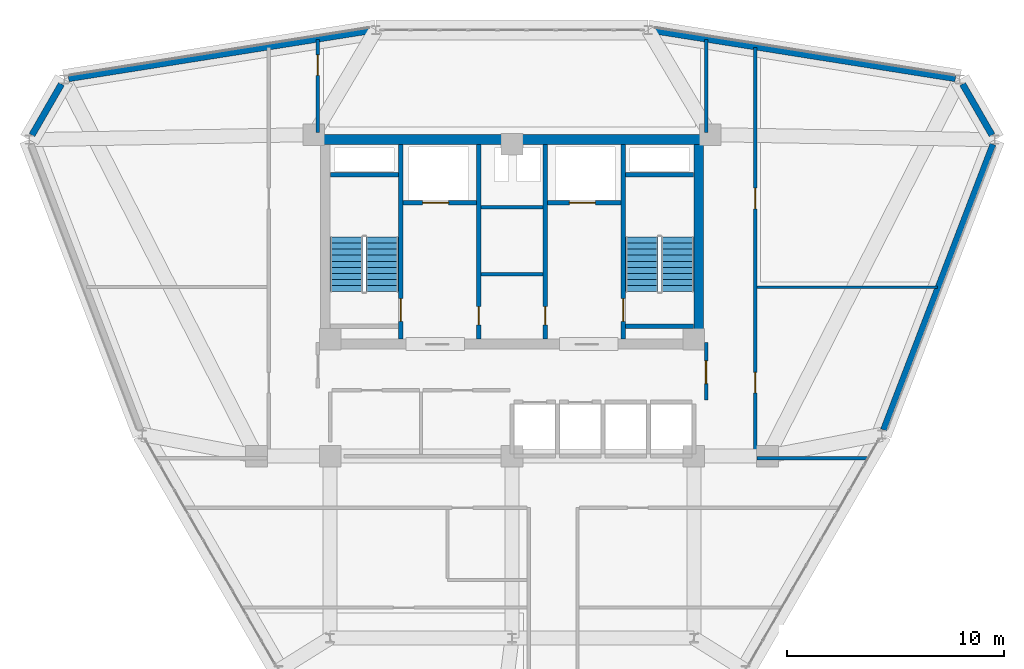
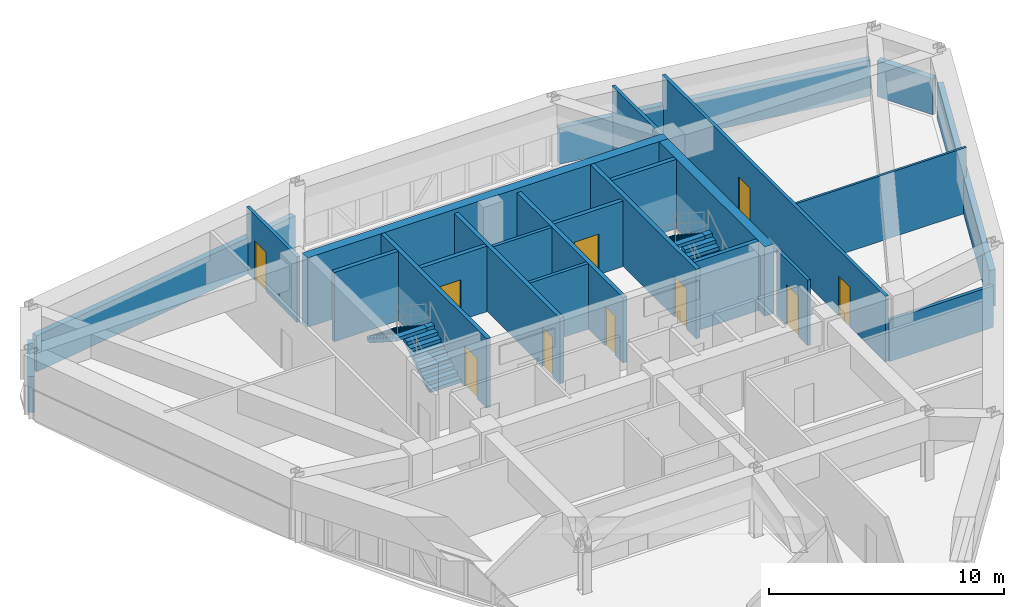
# One storey, part 11 of 13: 24 walls, 10 doors, 4 stair flights, 10 openings, 2 elements without a shape of their own.
"""IFC4 building model written with IfcOpenShell, lengths in metres."""

import ifcopenshell
import ifcopenshell.guid

model = None  # the IFC model being written
_history = None  # IfcOwnerHistory: only IFC2X3 demands one
_inside = {}  # id of a spatial element -> (the spatial element, [elements in it])
_under = {}  # id of a project, library or spatial element -> (it, [spatial elements below it])
_declared = {}  # id of a project -> (the project, [libraries it declares])
_typed = {}  # id of a type object -> (the type object, [elements of that type])
_made_of = {}  # id of a material, layer set ... -> (it, [elements and type objects made of it])


def new_model(schema):
    """Start an empty IFC model of exactly this schema.

    Asked for "IFC4X3", IfcOpenShell would pick the latest addendum, in which some entities
    have other attributes; the version numbers below select the first issue.
    IFC2X3 requires an IfcOwnerHistory on every rooted entity: one is made here for all.
    """
    global model, _history
    if schema == "IFC4X3":
        model = ifcopenshell.file(schema_version=(4, 3, 0, 0))
    else:
        model = ifcopenshell.file(schema=schema)
    _inside.clear()
    _under.clear()
    _declared.clear()
    _typed.clear()
    _made_of.clear()
    _history = None
    if model.schema == "IFC2X3":
        org = make("IfcOrganization", Name="unknown")
        user = make(
            "IfcPersonAndOrganization",
            ThePerson=make("IfcPerson", FamilyName="unknown"),
            TheOrganization=org,
        )
        app = make(
            "IfcApplication",
            ApplicationDeveloper=org,
            Version="unknown",
            ApplicationFullName="unknown",
            ApplicationIdentifier="unknown",
        )
        _history = make(
            "IfcOwnerHistory",
            OwningUser=user,
            OwningApplication=app,
            ChangeAction="ADDED",
            CreationDate=0,
        )
    return model


def make(cls, **values):
    """One entity of the class cls with the attributes given. An attribute that is None is left unset."""
    return model.create_entity(
        cls, **{name: value for name, value in values.items() if value is not None}
    )


def rooted(cls, **values):
    """An entity with a GlobalId (a new one), such as an element, a storey or a relation."""
    return make(cls, GlobalId=ifcopenshell.guid.new(), OwnerHistory=_history, **values)


def si_unit(unit_type, name, prefix=None):
    """IfcSIUnit, for example si_unit("LENGTHUNIT", "METRE", prefix="MILLI")."""
    return make("IfcSIUnit", UnitType=unit_type, Prefix=prefix, Name=name)


def derived_unit(unit_type, elements):
    """IfcDerivedUnit: a product of units, each with its exponent."""
    return make(
        "IfcDerivedUnit",
        Elements=[
            make("IfcDerivedUnitElement", Unit=unit, Exponent=power)
            for unit, power in elements
        ],
        UnitType=unit_type,
    )


def assignment(units):
    """IfcUnitAssignment: the units of a project."""
    return None if units is None else make("IfcUnitAssignment", Units=units)


def point(xyz):
    """IfcCartesianPoint."""
    return None if xyz is None else make("IfcCartesianPoint", Coordinates=xyz)


def direction(xyz):
    """IfcDirection."""
    return None if xyz is None else make("IfcDirection", DirectionRatios=xyz)


def frame(location, z_axis=None, x_axis=None):
    """IfcAxis2Placement3D, a coordinate frame: its origin and axes. An axis left out is left unset."""
    return make(
        "IfcAxis2Placement3D",
        Location=point(location),
        Axis=direction(z_axis),
        RefDirection=direction(x_axis),
    )


def frame_2d(location, x_axis=None):
    """IfcAxis2Placement2D, a coordinate frame in the plane: its origin and x axis."""
    return make(
        "IfcAxis2Placement2D", Location=point(location), RefDirection=direction(x_axis)
    )


def origin():
    """The frame at (0, 0, 0) with its axes left unset."""
    return frame((0.0, 0.0, 0.0))


def place(relative_to, where):
    """IfcLocalPlacement: puts the frame where relative to a parent placement (None: the world)."""
    return make(
        "IfcLocalPlacement", PlacementRelTo=relative_to, RelativePlacement=where
    )


def context(
    kind, dimensions, precision=None, world=None, true_north=None, identifier=None
):
    """IfcGeometricRepresentationContext, for example the 3D "Model" context."""
    return make(
        "IfcGeometricRepresentationContext",
        ContextIdentifier=identifier,
        ContextType=kind,
        CoordinateSpaceDimension=dimensions,
        Precision=precision,
        WorldCoordinateSystem=world,
        TrueNorth=true_north,
    )


def subcontext(parent, identifier, kind, view, scale=None):
    """IfcGeometricRepresentationSubContext, for example "Body" below "Model"."""
    return make(
        "IfcGeometricRepresentationSubContext",
        ContextIdentifier=identifier,
        ContextType=kind,
        ParentContext=parent,
        TargetScale=scale,
        TargetView=view,
    )


def project(units=None, contexts=None):
    """IfcProject with its units and contexts."""
    return rooted(
        "IfcProject",
        Name="project",
        RepresentationContexts=contexts,
        UnitsInContext=assignment(units),
    )


def spatial(cls, under=None, at=None, **own):
    """A site, building, storey or space (cls), placed at a placement, below another one or the project."""
    s = rooted(cls, ObjectPlacement=at, **own)
    if under is not None:
        _under.setdefault(under.id(), (under, []))[1].append(s)
    return s


def polyline(points):
    """IfcPolyline through the points."""
    return make("IfcPolyline", Points=[point(p) for p in points])


def profile(cls, at=None, kind="AREA", **sizes):
    """A parametric profile (cls). Its sizes go by their IFC names, for example OverallWidth=200.0."""
    return make(cls, ProfileType=kind, Position=at, **sizes)


def rectangle(**sizes):
    """IfcRectangleProfileDef."""
    return profile("IfcRectangleProfileDef", **sizes)


def outline(outer, holes=None, kind="AREA"):
    """IfcArbitraryClosedProfileDef: a profile drawn as a closed curve; with holes, ...WithVoids."""
    if holes is None:
        return make("IfcArbitraryClosedProfileDef", ProfileType=kind, OuterCurve=outer)
    return make(
        "IfcArbitraryProfileDefWithVoids",
        ProfileType=kind,
        OuterCurve=outer,
        InnerCurves=holes,
    )


def extrude(swept, where, along, depth):
    """IfcExtrudedAreaSolid: the profile swept, set in the frame where, extruded along a direction by depth."""
    return make(
        "IfcExtrudedAreaSolid",
        SweptArea=swept,
        Position=where,
        ExtrudedDirection=direction(along),
        Depth=depth,
    )


def shape(context_of_items, identifier, shape_type, items):
    """IfcShapeRepresentation: the items that make up one representation, for example the "Body"."""
    return make(
        "IfcShapeRepresentation",
        ContextOfItems=context_of_items,
        RepresentationIdentifier=identifier,
        RepresentationType=shape_type,
        Items=items,
    )


def material(Name=None, Category=None):
    """IfcMaterial."""
    return make("IfcMaterial", Name=Name, Category=Category)


def layer(
    of_material, thickness, ventilated=None, Name=None, Category=None, Priority=None
):
    """IfcMaterialLayer: one layer of a wall or slab, of a material (None: an air gap)."""
    return make(
        "IfcMaterialLayer",
        Material=of_material,
        LayerThickness=thickness,
        IsVentilated=ventilated,
        Name=Name,
        Category=Category,
        Priority=Priority,
    )


def layer_set(layers, Name=None):
    """IfcMaterialLayerSet."""
    return make("IfcMaterialLayerSet", MaterialLayers=layers, LayerSetName=Name)


def made_of(thing, what):
    """Note that an element or type object is made of a material, layer set ...; save() writes the relation."""
    if what is not None:
        _made_of.setdefault(what.id(), (what, []))[1].append(thing)
    return thing


def type_object(cls, material=None, **own):
    """A type object (cls), such as IfcWallType, which elements share."""
    return made_of(rooted(cls, **own), material)


def element(
    cls,
    number,
    at=None,
    inside=None,
    cuts=None,
    type_object=None,
    material=None,
    context=None,
    identifier="Body",
    shape_type=None,
    held_by="IfcProductDefinitionShape",
    body=None,
    shapes=None,
    **own,
):
    """One element of the class cls, such as IfcWall. Its Tag is "e" and its number.

    at: its placement. inside: the storey or other place that contains it. cuts: it is an
    opening in that element (IfcRelVoidsElement). A single representation is given by context,
    identifier, shape_type and body (its items); several are given by shapes. held_by: the class
    of the entity that holds the representations. save() writes the other relations.
    """
    e = rooted(cls, Tag="e%d" % number, ObjectPlacement=at, **own)
    if body is not None:
        shapes = [shape(context, identifier, shape_type, body)]
    if shapes is not None:
        e.Representation = make(held_by, Representations=shapes)
    if inside is not None:
        _inside.setdefault(inside.id(), (inside, []))[1].append(e)
    if cuts is not None:
        rooted(
            "IfcRelVoidsElement", RelatingBuildingElement=cuts, RelatedOpeningElement=e
        )
    if type_object is not None:
        _typed.setdefault(type_object.id(), (type_object, []))[1].append(e)
    return made_of(e, material)


def fill(opening, filler):
    """IfcRelFillsElement: the door or window that sits in an opening."""
    return rooted(
        "IfcRelFillsElement",
        RelatingOpeningElement=opening,
        RelatedBuildingElement=filler,
    )


def aggregate(whole, parts):
    """IfcRelAggregates: a whole, such as a stair, and the parts it consists of."""
    return rooted("IfcRelAggregates", RelatingObject=whole, RelatedObjects=parts)


def save(model, path):
    """Write the relations noted so far, then the file.

    IfcRelAggregates (storeys below a building ...), IfcRelContainedInSpatialStructure (elements
    in a storey), IfcRelDefinesByType, IfcRelAssociatesMaterial and IfcRelDeclares: one each for
    every whole, place, type object, material and project.
    """
    for whole, parts in _under.values():
        aggregate(whole, parts)
    for where, things in _inside.values():
        rooted(
            "IfcRelContainedInSpatialStructure",
            RelatedElements=things,
            RelatingStructure=where,
        )
    for kind, things in _typed.values():
        rooted("IfcRelDefinesByType", RelatedObjects=things, RelatingType=kind)
    for what, things in _made_of.values():
        rooted("IfcRelAssociatesMaterial", RelatedObjects=things, RelatingMaterial=what)
    for by, libraries in _declared.values():
        rooted("IfcRelDeclares", RelatingContext=by, RelatedDefinitions=libraries)
    model.write(path)


model = new_model("IFC4")

# Units and contexts
model_context = context("Model", 3, precision=1e-05, world=origin(), true_north=direction((0.0, 1.0)))
body_context = subcontext(model_context, "Body", "Model", "MODEL_VIEW")
ifc_project = project(units=[si_unit("LENGTHUNIT", "METRE"), si_unit("AREAUNIT", "SQUARE_METRE"), si_unit("VOLUMEUNIT", "CUBIC_METRE"), si_unit("PLANEANGLEUNIT", "RADIAN"), si_unit("MASSUNIT", "GRAM", prefix="KILO"), derived_unit("THERMALTRANSMITTANCEUNIT", [(si_unit("POWERUNIT", "WATT"), 1), (si_unit("LENGTHUNIT", "METRE"), -2), (si_unit("THERMODYNAMICTEMPERATUREUNIT", "KELVIN"), -1)])], contexts=[model_context])

# Site, building, storey
site_placement = place(None, origin())
site = spatial("IfcSite", under=ifc_project, at=site_placement, CompositionType="ELEMENT")
building_placement = place(site_placement, origin())
building = spatial("IfcBuilding", under=site, at=building_placement, Name="Korsvarv Bourse and Concert Hall", CompositionType="ELEMENT")
storey_placement = place(building_placement, frame((0.0, 0.0, 183.0)))
storey = spatial("IfcBuildingStorey", under=building, at=storey_placement, Name="L47", CompositionType="ELEMENT", Elevation=183.0)

# Wall, opening, door
ifc_material_1 = material(Name="Concrete C50/60", Category="concrete")
ifc_layer_1 = layer(ifc_material_1, 0.3798828125)
ifc_layer_set_1 = layer_set([ifc_layer_1], Name="Concrete C50/60")
wall_type_1 = type_object("IfcWallType", Name="WL-CORE-380", PredefinedType="SHEAR", material=ifc_layer_set_1)
wall_1_placement = place(storey_placement, frame((30.860107421875, 37.81005859375, 0.0), z_axis=(0.0, 0.0, 1.0), x_axis=(0.0, 1.0, 0.0)))
wall_1 = element("IfcWall", 1, at=wall_1_placement, inside=storey, type_object=wall_type_1, Name="L47 stair shaft structural wall W-L47-ST1-E", PredefinedType="SHEAR", context=body_context, shape_type="SweptSolid", body=[
    extrude(rectangle(XDim=8.97998046875, YDim=0.199951171875, at=frame_2d((4.489990234375, 0.0))), origin(), (0.0, 0.0, 1.0), 3.60009765625),
])
opening_1_placement = place(wall_1_placement, frame((0.820068359375, 0.0, 0.0)))
opening_1 = element("IfcOpeningElement", 2, at=opening_1_placement, cuts=wall_1, Name="Opening D-01", PredefinedType="OPENING", context=body_context, shape_type="SweptSolid", body=[
    extrude(rectangle(XDim=1.050048828125, YDim=2.10009765625, at=frame_2d((0.52490234375, 1.050048828125))), frame((0.0, 0.10986328125, 0.0), z_axis=(0.0, -1.0, 0.0), x_axis=(1.0, 0.0, 0.0)), (0.0, 0.0, 1.0), 0.219970703125),
])
ifc_material_2 = material(Name="Steel S355 fire door", Category="steel")
door_type_1 = type_object("IfcDoorType", Name="DR-FD60", OperationType="NOTDEFINED", PredefinedType="DOOR", material=ifc_material_2)
door_1_placement = place(opening_1_placement, origin())
door_1 = element("IfcDoor", 3, at=door_1_placement, inside=storey, type_object=door_type_1, Name="L47 interior door DR-L47-ST1", OperationType="SINGLE_SWING_LEFT", OverallHeight=2.10009765625, OverallWidth=1.050048828125, PredefinedType="DOOR", context=body_context, shape_type="SweptSolid", body=[
    extrude(rectangle(XDim=1.050048828125, YDim=2.10009765625, at=frame_2d((0.52490234375, 1.050048828125))), frame((0.0, 0.02490234375, 0.0), z_axis=(0.0, -1.0, 0.0), x_axis=(1.0, 0.0, 0.0)), (0.0, 0.0, 1.0), 0.050048828125),
])
fill(opening_1, door_1)

# Wall
wall_2_placement = place(storey_placement, frame((27.610107421875, 45.39990234375, 0.0), z_axis=(0.0, 0.0, 1.0), x_axis=(1.0, 0.0, 0.0)))
element("IfcWall", 4, at=wall_2_placement, inside=storey, type_object=wall_type_1, Name="L47 stair shaft structural wall W-L47-ST1-N", PredefinedType="SHEAR", context=body_context, shape_type="SweptSolid", body=[
    extrude(rectangle(XDim=3.139892578125, YDim=0.199951171875, at=frame_2d((1.56982421875, 0.0))), origin(), (0.0, 0.0, 1.0), 3.60009765625),
])

# Wall, opening, door
wall_3_placement = place(storey_placement, frame((41.139892578125, 37.81005859375, 0.0), z_axis=(0.0, 0.0, 1.0), x_axis=(0.0, 1.0, 0.0)))
wall_3 = element("IfcWall", 5, at=wall_3_placement, inside=storey, type_object=wall_type_1, Name="L47 stair shaft structural wall W-L47-ST2-W", PredefinedType="SHEAR", context=body_context, shape_type="SweptSolid", body=[
    extrude(rectangle(XDim=8.97998046875, YDim=0.199951171875, at=frame_2d((4.489990234375, 0.0))), origin(), (0.0, 0.0, 1.0), 3.60009765625),
])
opening_2_placement = place(wall_3_placement, frame((0.820068359375, 0.0, 0.0)))
opening_2 = element("IfcOpeningElement", 6, at=opening_2_placement, cuts=wall_3, Name="Opening D-01", PredefinedType="OPENING", context=body_context, shape_type="SweptSolid", body=[
    extrude(rectangle(XDim=1.050048828125, YDim=2.10009765625, at=frame_2d((0.52490234375, 1.050048828125))), frame((0.0, 0.10986328125, 0.0), z_axis=(0.0, -1.0, 0.0), x_axis=(1.0, 0.0, 0.0)), (0.0, 0.0, 1.0), 0.219970703125),
])
door_2_placement = place(opening_2_placement, frame((1.050048828125, 0.0, 0.0), z_axis=(0.0, 0.0, 1.0), x_axis=(-1.0, 0.0, 0.0)))
door_2 = element("IfcDoor", 7, at=door_2_placement, inside=storey, type_object=door_type_1, Name="L47 interior door DR-L47-ST2", OperationType="SINGLE_SWING_RIGHT", OverallHeight=2.10009765625, OverallWidth=1.050048828125, PredefinedType="DOOR", context=body_context, shape_type="SweptSolid", body=[
    extrude(rectangle(XDim=1.050048828125, YDim=2.10009765625, at=frame_2d((0.52490234375, 1.050048828125))), frame((0.0, 0.02490234375, 0.0), z_axis=(0.0, -1.0, 0.0), x_axis=(1.0, 0.0, 0.0)), (0.0, 0.0, 1.0), 0.050048828125),
])
fill(opening_2, door_2)

# Walls
for number, where, z_axis, x_axis, name in (
    (8, (41.25, 45.39990234375, 0.0), (0.0, 0.0, 1.0), (1.0, 0.0, 0.0), "L47 stair shaft structural wall W-L47-ST2-N"),
    (9, (41.25, 38.39990234375, 0.0), (0.0, 0.0, 1.0), (1.0, 0.0, 0.0), "L47 stair shaft structural wall W-L47-ST2-S"),
):
    element("IfcWall", number, at=place(storey_placement, frame(where, z_axis=z_axis, x_axis=x_axis)), inside=storey, type_object=wall_type_1, Name=name, PredefinedType="SHEAR", context=body_context, shape_type="SweptSolid", body=[
        extrude(rectangle(XDim=3.139892578125, YDim=0.199951171875, at=frame_2d((1.56982421875, 0.0))), origin(), (0.0, 0.0, 1.0), 3.60009765625),
    ])
ifc_material_3 = material(Name="Concrete C55/67", Category="concrete")
ifc_layer_2 = layer(ifc_material_3, 0.449951171875)
ifc_layer_set_2 = layer_set([ifc_layer_2], Name="Concrete C55/67")
wall_type_2 = type_object("IfcWallType", Name="WL-CORE-450", PredefinedType="SHEAR", material=ifc_layer_set_2)
wall_4_placement = place(storey_placement, frame((27.14990234375, 47.02490234375, 0.0), z_axis=(0.0, 0.0, 1.0), x_axis=(1.0, 0.0, 0.0)))
element("IfcWall", 10, at=wall_4_placement, inside=storey, type_object=wall_type_2, Name="L47 North Core Shear Wall", PredefinedType="SHEAR", context=body_context, shape_type="SweptSolid", body=[
    extrude(rectangle(XDim=17.7001953125, YDim=0.449951171875, at=frame_2d((8.85009765625, 0.0))), origin(), (0.0, 0.0, 1.0), 3.60009765625),
])
wall_5_placement = place(storey_placement, frame((44.625, 37.800048828125, 0.0), z_axis=(0.0, 0.0, 1.0), x_axis=(0.0, 1.0, 0.0)))
element("IfcWall", 11, at=wall_5_placement, inside=storey, type_object=wall_type_2, Name="L47 East Core Shear Wall", PredefinedType="SHEAR", context=body_context, shape_type="SweptSolid", body=[
    extrude(rectangle(XDim=9.0, YDim=0.449951171875, at=frame_2d((4.5, 0.0))), origin(), (0.0, 0.0, 1.0), 3.60009765625),
])
ifc_material_4 = material(Name="Precast concrete C45/55 with terracotta rainscreen", Category="concrete")
ifc_layer_3 = layer(ifc_material_4, 0.300048828125)
ifc_layer_set_3 = layer_set([ifc_layer_3], Name="Precast concrete C45/55 with terracotta rainscreen")
wall_type_3 = type_object("IfcWallType", Name="WL-EXT-TC1", PredefinedType="SOLIDWALL", material=ifc_layer_set_3)
for number, where, z_axis, x_axis, name in (
    (12, (58.167236328125, 47.225830078125, 0.0), (0.0, 0.0, 1.0), (-0.499947493121, 0.866055716523, 0.0), "L47 terracotta exterior wall EW-L47-B01"),
    (13, (15.1943359375, 49.58447265625, 0.0), (0.0, 0.0, 1.0), (-0.499947493121, -0.866055716523, 0.0), "L47 terracotta exterior wall EW-L47-B05"),
):
    element("IfcWall", number, at=place(storey_placement, frame(where, z_axis=z_axis, x_axis=x_axis)), inside=storey, type_object=wall_type_3, Name=name, PredefinedType="SOLIDWALL", context=body_context, shape_type="SweptSolid", body=[
        extrude(rectangle(XDim=2.723388671875, YDim=0.300048828125, at=frame_2d((1.36181640625, 0.0))), origin(), (0.0, 0.0, 1.0), 1.8701171875),
    ])
ifc_material_5 = material(Name="Precast concrete C45/55 with fluted terracotta pier", Category="concrete")
ifc_layer_4 = layer(ifc_material_5, 0.280029296875)
ifc_layer_set_4 = layer_set([ifc_layer_4], Name="Precast concrete C45/55 with fluted terracotta pier")
wall_type_4 = type_object("IfcWallType", Name="WL-EXT-TC2", PredefinedType="SOLIDWALL", material=ifc_layer_set_4)
for number, where, z_axis, x_axis, name in (
    (14, (56.474609375, 49.83056640625, 0.0), (0.0, 0.0, 1.0), (-0.987634086957, 0.156776625426, 0.0), "L47 terracotta exterior wall EW-L47-B02"),
    (15, (29.502685546875, 52.04931640625, 0.0), (0.0, 0.0, 1.0), (-0.987634086957, -0.156776625426, 0.0), "L47 terracotta exterior wall EW-L47-B04"),
):
    element("IfcWall", number, at=place(storey_placement, frame(where, z_axis=z_axis, x_axis=x_axis)), inside=storey, type_object=wall_type_4, Name=name, PredefinedType="SOLIDWALL", context=body_context, shape_type="SweptSolid", body=[
        extrude(rectangle(XDim=14.15234375, YDim=0.280029296875, at=frame_2d((7.076171875, 0.0))), origin(), (0.0, 0.0, 1.0), 1.8701171875),
    ])
wall_6_placement = place(storey_placement, frame((53.154052734375, 33.618408203125, 0.0), z_axis=(0.0, 0.0, 1.0), x_axis=(0.358033263681, 0.933708831541, 0.0)))
element("IfcWall", 16, at=wall_6_placement, inside=storey, type_object=wall_type_4, Name="L47 terracotta exterior wall EW-L47-B12", PredefinedType="SOLIDWALL", context=body_context, shape_type="SweptSolid", body=[
    extrude(rectangle(XDim=14.1171875, YDim=0.280029296875, at=frame_2d((7.05859375, 0.0))), origin(), (0.0, 0.0, 1.0), 1.8701171875),
])

# Wall, opening, door
ifc_material_6 = material(Name="Reinforced concrete blockwork C35/45 fire wall", Category="concrete")
ifc_layer_5 = layer(ifc_material_6, 0.199951171875)
ifc_layer_set_5 = layer_set([ifc_layer_5], Name="Reinforced concrete blockwork C35/45 fire wall")
wall_type_5 = type_object("IfcWallType", Name="WL-INT-EI120", PredefinedType="PARTITIONING", material=ifc_layer_set_5)
wall_7_placement = place(storey_placement, frame((30.969970703125, 44.10009765625, 0.0), z_axis=(0.0, 0.0, 1.0), x_axis=(1.0, 0.0, 0.0)))
wall_7 = element("IfcWall", 17, at=wall_7_placement, inside=storey, type_object=wall_type_5, Name="L47 interior partition wall W-L47-FF1-S", PredefinedType="PARTITIONING", context=body_context, shape_type="SweptSolid", body=[
    extrude(rectangle(XDim=3.380126953125, YDim=0.199951171875, at=frame_2d((1.68994140625, 0.0))), origin(), (0.0, 0.0, 1.0), 3.39990234375),
])
opening_3_placement = place(wall_7_placement, frame((0.89990234375, 0.0, 0.0)))
opening_3 = element("IfcOpeningElement", 18, at=opening_3_placement, cuts=wall_7, Name="Opening LD-1", PredefinedType="OPENING", context=body_context, shape_type="SweptSolid", body=[
    extrude(rectangle(XDim=1.199951171875, YDim=2.10009765625, at=frame_2d((0.60009765625, 1.050048828125))), frame((0.0, 0.10986328125, 0.0), z_axis=(0.0, -1.0, 0.0), x_axis=(1.0, 0.0, 0.0)), (0.0, 0.0, 1.0), 0.219970703125),
])
ifc_material_7 = material(Name="Stainless Steel S355 firefighting lift landing door", Category="steel")
door_type_2 = type_object("IfcDoorType", Name="DR-LIFT-FF", OperationType="DOUBLE_DOOR_SLIDING", PredefinedType="DOOR", material=ifc_material_7)
door_3_placement = place(opening_3_placement, origin())
door_3 = element("IfcDoor", 19, at=door_3_placement, inside=storey, type_object=door_type_2, Name="L47 lift sliding landing door LD-L47-FF1", OperationType="DOUBLE_DOOR_SLIDING", OverallHeight=2.10009765625, OverallWidth=1.199951171875, PredefinedType="DOOR", context=body_context, shape_type="SweptSolid", body=[
    extrude(rectangle(XDim=1.199951171875, YDim=2.10009765625, at=frame_2d((0.60009765625, 1.050048828125))), frame((0.0, 0.02490234375, 0.0), z_axis=(0.0, -1.0, 0.0), x_axis=(1.0, 0.0, 0.0)), (0.0, 0.0, 1.0), 0.050048828125),
])
fill(opening_3, door_3)

wall_8_placement = place(storey_placement, frame((37.64990234375, 44.10009765625, 0.0), z_axis=(0.0, 0.0, 1.0), x_axis=(1.0, 0.0, 0.0)))
wall_8 = element("IfcWall", 20, at=wall_8_placement, inside=storey, type_object=wall_type_5, Name="L47 interior partition wall W-L47-FF2-S", PredefinedType="PARTITIONING", context=body_context, shape_type="SweptSolid", body=[
    extrude(rectangle(XDim=3.380126953125, YDim=0.199951171875, at=frame_2d((1.68994140625, 0.0))), origin(), (0.0, 0.0, 1.0), 3.39990234375),
])
opening_4_placement = place(wall_8_placement, frame((1.0, 0.0, 0.0)))
opening_4 = element("IfcOpeningElement", 21, at=opening_4_placement, cuts=wall_8, Name="Opening LD-1", PredefinedType="OPENING", context=body_context, shape_type="SweptSolid", body=[
    extrude(rectangle(XDim=1.199951171875, YDim=2.10009765625, at=frame_2d((0.60009765625, 1.050048828125))), frame((0.0, 0.10986328125, 0.0), z_axis=(0.0, -1.0, 0.0), x_axis=(1.0, 0.0, 0.0)), (0.0, 0.0, 1.0), 0.219970703125),
])
door_4_placement = place(opening_4_placement, origin())
door_4 = element("IfcDoor", 22, at=door_4_placement, inside=storey, type_object=door_type_2, Name="L47 lift sliding landing door LD-L47-FF2", OperationType="DOUBLE_DOOR_SLIDING", OverallHeight=2.10009765625, OverallWidth=1.199951171875, PredefinedType="DOOR", context=body_context, shape_type="SweptSolid", body=[
    extrude(rectangle(XDim=1.199951171875, YDim=2.10009765625, at=frame_2d((0.60009765625, 1.050048828125))), frame((0.0, 0.02490234375, 0.0), z_axis=(0.0, -1.0, 0.0), x_axis=(1.0, 0.0, 0.0)), (0.0, 0.0, 1.0), 0.050048828125),
])
fill(opening_4, door_4)

wall_9_placement = place(storey_placement, frame((34.4599609375, 37.81005859375, 0.0), z_axis=(0.0, 0.0, 1.0), x_axis=(0.0, 1.0, 0.0)))
wall_9 = element("IfcWall", 23, at=wall_9_placement, inside=storey, type_object=wall_type_5, Name="L47 interior partition wall W-L47-CSB-W", PredefinedType="PARTITIONING", context=body_context, shape_type="SweptSolid", body=[
    extrude(rectangle(XDim=8.97998046875, YDim=0.199951171875, at=frame_2d((4.489990234375, 0.0))), origin(), (0.0, 0.0, 1.0), 3.39990234375),
])
opening_5_placement = place(wall_9_placement, frame((0.64990234375, 0.0, 0.0)))
opening_5 = element("IfcOpeningElement", 24, at=opening_5_placement, cuts=wall_9, Name="Opening D-05", PredefinedType="OPENING", context=body_context, shape_type="SweptSolid", body=[
    extrude(rectangle(XDim=0.85009765625, YDim=2.050048828125, at=frame_2d((0.425048828125, 1.02490234375))), frame((0.0, 0.10986328125, 0.0), z_axis=(0.0, -1.0, 0.0), x_axis=(1.0, 0.0, 0.0)), (0.0, 0.0, 1.0), 0.219970703125),
])
door_type_3 = type_object("IfcDoorType", Name="DR-FD60-850X2050", OperationType="NOTDEFINED", PredefinedType="DOOR", material=ifc_material_2)
door_5_placement = place(opening_5_placement, frame((0.85009765625, 0.0, 0.0), z_axis=(0.0, 0.0, 1.0), x_axis=(-1.0, 0.0, 0.0)))
door_5 = element("IfcDoor", 25, at=door_5_placement, inside=storey, type_object=door_type_3, Name="L47 interior door DR-L47-CSB1", OperationType="SINGLE_SWING_LEFT", OverallHeight=2.050048828125, OverallWidth=0.85009765625, PredefinedType="DOOR", context=body_context, shape_type="SweptSolid", body=[
    extrude(rectangle(XDim=0.85009765625, YDim=2.050048828125, at=frame_2d((0.425048828125, 1.02490234375))), frame((0.0, 0.02490234375, 0.0), z_axis=(0.0, -1.0, 0.0), x_axis=(1.0, 0.0, 0.0)), (0.0, 0.0, 1.0), 0.050048828125),
])
fill(opening_5, door_5)

wall_10_placement = place(storey_placement, frame((37.5400390625, 37.81005859375, 0.0), z_axis=(0.0, 0.0, 1.0), x_axis=(0.0, 1.0, 0.0)))
wall_10 = element("IfcWall", 26, at=wall_10_placement, inside=storey, type_object=wall_type_5, Name="L47 interior partition wall W-L47-CSB-E", PredefinedType="PARTITIONING", context=body_context, shape_type="SweptSolid", body=[
    extrude(rectangle(XDim=8.97998046875, YDim=0.199951171875, at=frame_2d((4.489990234375, 0.0))), origin(), (0.0, 0.0, 1.0), 3.39990234375),
])
opening_6_placement = place(wall_10_placement, frame((0.64990234375, 0.0, 0.0)))
opening_6 = element("IfcOpeningElement", 27, at=opening_6_placement, cuts=wall_10, Name="Opening D-05", PredefinedType="OPENING", context=body_context, shape_type="SweptSolid", body=[
    extrude(rectangle(XDim=0.85009765625, YDim=2.050048828125, at=frame_2d((0.425048828125, 1.02490234375))), frame((0.0, 0.10986328125, 0.0), z_axis=(0.0, -1.0, 0.0), x_axis=(1.0, 0.0, 0.0)), (0.0, 0.0, 1.0), 0.219970703125),
])
door_6_placement = place(opening_6_placement, origin())
door_6 = element("IfcDoor", 28, at=door_6_placement, inside=storey, type_object=door_type_3, Name="L47 interior door DR-L47-CSB2", OperationType="SINGLE_SWING_RIGHT", OverallHeight=2.050048828125, OverallWidth=0.85009765625, PredefinedType="DOOR", context=body_context, shape_type="SweptSolid", body=[
    extrude(rectangle(XDim=0.85009765625, YDim=2.050048828125, at=frame_2d((0.425048828125, 1.02490234375))), frame((0.0, 0.02490234375, 0.0), z_axis=(0.0, -1.0, 0.0), x_axis=(1.0, 0.0, 0.0)), (0.0, 0.0, 1.0), 0.050048828125),
])
fill(opening_6, door_6)

# Walls
ifc_material_8 = material(Name="Double-stud fire-rated acoustic partition", Category="gypsum")
ifc_layer_6 = layer(ifc_material_8, 0.159912109375)
ifc_layer_set_6 = layer_set([ifc_layer_6], Name="Double-stud fire-rated acoustic partition")
wall_type_6 = type_object("IfcWallType", Name="WL-INT-EI60", PredefinedType="PARTITIONING", material=ifc_layer_set_6)
for number, where, z_axis, x_axis, name in (
    (29, (34.570068359375, 40.800048828125, 0.0), (0.0, 0.0, 1.0), (1.0, 0.0, 0.0), "L47 interior partition wall W-L47-K1"),
    (30, (34.570068359375, 43.89990234375, 0.0), (0.0, 0.0, 1.0), (1.0, 0.0, 0.0), "L47 interior partition wall W-L47-K2"),
):
    element("IfcWall", number, at=place(storey_placement, frame(where, z_axis=z_axis, x_axis=x_axis)), inside=storey, type_object=wall_type_6, Name=name, PredefinedType="PARTITIONING", context=body_context, shape_type="SweptSolid", body=[
        extrude(rectangle(XDim=2.85986328125, YDim=0.159912109375, at=frame_2d((1.429931640625, 0.0))), origin(), (0.0, 0.0, 1.0), 3.39990234375),
    ])

# Wall, opening, door
wall_11_placement = place(storey_placement, frame((44.9599609375, 35.0, 0.0), z_axis=(0.0, 0.0, 1.0), x_axis=(0.0, 1.0, 0.0)))
wall_11 = element("IfcWall", 31, at=wall_11_placement, inside=storey, type_object=wall_type_6, Name="L47 interior partition wall W-L47-LOB-E", PredefinedType="PARTITIONING", context=body_context, shape_type="SweptSolid", body=[
    extrude(rectangle(XDim=2.64990234375, YDim=0.159912109375, at=frame_2d((1.324951171875, 0.0))), origin(), (0.0, 0.0, 1.0), 3.39990234375),
])
opening_7_placement = place(wall_11_placement, frame((0.75, 0.0, 0.0)))
opening_7 = element("IfcOpeningElement", 32, at=opening_7_placement, cuts=wall_11, Name="Opening D-01", PredefinedType="OPENING", context=body_context, shape_type="SweptSolid", body=[
    extrude(rectangle(XDim=1.050048828125, YDim=2.10009765625, at=frame_2d((0.52490234375, 1.050048828125))), frame((0.0, 0.08984375, 0.0), z_axis=(0.0, -1.0, 0.0), x_axis=(1.0, 0.0, 0.0)), (0.0, 0.0, 1.0), 0.179931640625),
])
door_7_placement = place(opening_7_placement, origin())
door_7 = element("IfcDoor", 33, at=door_7_placement, inside=storey, type_object=door_type_1, Name="L47 interior door DR-L47-LOBE", OperationType="SINGLE_SWING_RIGHT", OverallHeight=2.10009765625, OverallWidth=1.050048828125, PredefinedType="DOOR", context=body_context, shape_type="SweptSolid", body=[
    extrude(rectangle(XDim=1.050048828125, YDim=2.10009765625, at=frame_2d((0.52490234375, 1.050048828125))), frame((0.0, 0.02490234375, 0.0), z_axis=(0.0, -1.0, 0.0), x_axis=(1.0, 0.0, 0.0)), (0.0, 0.0, 1.0), 0.050048828125),
])
fill(opening_7, door_7)

# Wall, openings, doors
wall_12_placement = place(storey_placement, frame((47.22509765625, 32.31005859375, 0.0), z_axis=(0.0, 0.0, 1.0), x_axis=(0.0, 1.0, 0.0)))
wall_12 = element("IfcWall", 34, at=wall_12_placement, inside=storey, type_object=wall_type_6, Name="L47 interior partition wall W-L47-TCOR-01", PredefinedType="PARTITIONING", context=body_context, shape_type="SweptSolid", body=[
    extrude(rectangle(XDim=18.96875, YDim=0.159912109375, at=frame_2d((9.484375, 0.0))), origin(), (0.0, 0.0, 1.0), 3.39990234375),
])
opening_8_placement = place(wall_12_placement, frame((3.008056640625, 0.0, 0.0)))
opening_8 = element("IfcOpeningElement", 35, at=opening_8_placement, cuts=wall_12, Name="Opening D-02", PredefinedType="OPENING", context=body_context, shape_type="SweptSolid", body=[
    extrude(rectangle(XDim=0.949951171875, YDim=2.050048828125, at=frame_2d((0.47509765625, 1.02490234375))), frame((0.0, 0.08984375, 0.0), z_axis=(0.0, -1.0, 0.0), x_axis=(1.0, 0.0, 0.0)), (0.0, 0.0, 1.0), 0.179931640625),
])
opening_9_placement = place(wall_12_placement, frame((11.512939453125, 0.0, 0.0)))
opening_9 = element("IfcOpeningElement", 36, at=opening_9_placement, cuts=wall_12, Name="Opening D-02", PredefinedType="OPENING", context=body_context, shape_type="SweptSolid", body=[
    extrude(rectangle(XDim=0.949951171875, YDim=2.050048828125, at=frame_2d((0.47509765625, 1.02490234375))), frame((0.0, 0.08984375, 0.0), z_axis=(0.0, -1.0, 0.0), x_axis=(1.0, 0.0, 0.0)), (0.0, 0.0, 1.0), 0.179931640625),
])
ifc_material_9 = material(Name="Timber and steel acoustic fire door", Category="wood")
door_type_4 = type_object("IfcDoorType", Name="DR-FD30", OperationType="NOTDEFINED", PredefinedType="DOOR", material=ifc_material_9)
door_8_placement = place(opening_8_placement, origin())
door_8 = element("IfcDoor", 37, at=door_8_placement, inside=storey, type_object=door_type_4, Name="L47 interior door DR-L47-TCOR-AR81", OperationType="SINGLE_SWING_LEFT", OverallHeight=2.050048828125, OverallWidth=0.949951171875, PredefinedType="DOOR", context=body_context, shape_type="SweptSolid", body=[
    extrude(rectangle(XDim=0.949951171875, YDim=2.050048828125, at=frame_2d((0.47509765625, 1.02490234375))), frame((0.0, 0.02490234375, 0.0), z_axis=(0.0, -1.0, 0.0), x_axis=(1.0, 0.0, 0.0)), (0.0, 0.0, 1.0), 0.050048828125),
])
fill(opening_8, door_8)
door_9_placement = place(opening_9_placement, origin())
door_9 = element("IfcDoor", 38, at=door_9_placement, inside=storey, type_object=door_type_4, Name="L47 interior door DR-L47-TCOR-AR62", OperationType="SINGLE_SWING_RIGHT", OverallHeight=2.050048828125, OverallWidth=0.949951171875, PredefinedType="DOOR", context=body_context, shape_type="SweptSolid", body=[
    extrude(rectangle(XDim=0.949951171875, YDim=2.050048828125, at=frame_2d((0.47509765625, 1.02490234375))), frame((0.0, 0.02490234375, 0.0), z_axis=(0.0, -1.0, 0.0), x_axis=(1.0, 0.0, 0.0)), (0.0, 0.0, 1.0), 0.050048828125),
])
fill(opening_9, door_9)

# Wall
wall_13_placement = place(storey_placement, frame((47.306884765625, 32.31494140625, 0.0), z_axis=(0.0, 0.0, 1.0), x_axis=(1.0, 0.0, 0.0)))
element("IfcWall", 39, at=wall_13_placement, inside=storey, type_object=wall_type_6, Name="L47 interior partition wall W-L47-TCOR-07", PredefinedType="PARTITIONING", context=body_context, shape_type="SweptSolid", body=[
    extrude(rectangle(XDim=5.115966796875, YDim=0.159912109375, at=frame_2d((2.55810546875, 0.0))), origin(), (0.0, 0.0, 1.0), 2.159912109375),
])

# Wall, opening, door
wall_14_placement = place(storey_placement, frame((27.034912109375, 47.340087890625, 0.0), z_axis=(0.0, 0.0, 1.0), x_axis=(0.0, 1.0, 0.0)))
wall_14 = element("IfcWall", 40, at=wall_14_placement, inside=storey, type_object=wall_type_6, Name="L47 interior partition wall W-L47-TCOR-09", PredefinedType="PARTITIONING", context=body_context, shape_type="SweptSolid", body=[
    extrude(rectangle(XDim=4.297607421875, YDim=0.159912109375, at=frame_2d((2.14892578125, 0.0))), origin(), (0.0, 0.0, 1.0), 3.39990234375),
])
opening_10_placement = place(wall_14_placement, frame((2.640869140625, 0.0, 0.0)))
opening_10 = element("IfcOpeningElement", 41, at=opening_10_placement, cuts=wall_14, Name="Opening D-02", PredefinedType="OPENING", context=body_context, shape_type="SweptSolid", body=[
    extrude(rectangle(XDim=0.949951171875, YDim=2.050048828125, at=frame_2d((0.47509765625, 1.02490234375))), frame((0.0, 0.08984375, 0.0), z_axis=(0.0, -1.0, 0.0), x_axis=(1.0, 0.0, 0.0)), (0.0, 0.0, 1.0), 0.179931640625),
])
door_10_placement = place(opening_10_placement, origin())
door_10 = element("IfcDoor", 42, at=door_10_placement, inside=storey, type_object=door_type_4, Name="L47 interior door DR-L47-TCOR-RM55", OperationType="SINGLE_SWING_LEFT", OverallHeight=2.050048828125, OverallWidth=0.949951171875, PredefinedType="DOOR", context=body_context, shape_type="SweptSolid", body=[
    extrude(rectangle(XDim=0.949951171875, YDim=2.050048828125, at=frame_2d((0.47509765625, 1.02490234375))), frame((0.0, 0.02490234375, 0.0), z_axis=(0.0, -1.0, 0.0), x_axis=(1.0, 0.0, 0.0)), (0.0, 0.0, 1.0), 0.050048828125),
])
fill(opening_10, door_10)

# Walls
wall_15_placement = place(storey_placement, frame((44.965087890625, 47.340087890625, 0.0), z_axis=(0.0, 0.0, 1.0), x_axis=(0.0, 1.0, 0.0)))
element("IfcWall", 43, at=wall_15_placement, inside=storey, type_object=wall_type_6, Name="L47 interior partition wall W-L47-TCOR-10", PredefinedType="PARTITIONING", context=body_context, shape_type="SweptSolid", body=[
    extrude(rectangle(XDim=4.297607421875, YDim=0.159912109375, at=frame_2d((2.14892578125, 0.0))), origin(), (0.0, 0.0, 1.0), 3.39990234375),
])
ifc_material_10 = material(Name="Demountable acoustic glass and aluminium dealing partition", Category="aluminium")
ifc_layer_7 = layer(ifc_material_10, 0.110107421875)
ifc_layer_set_7 = layer_set([ifc_layer_7], Name="Demountable acoustic glass and aluminium dealing partition")
wall_type_7 = type_object("IfcWallType", Name="WL-INT-MOV", PredefinedType="MOVABLE", material=ifc_layer_set_7)
wall_16_placement = place(storey_placement, frame((47.306884765625, 40.205078125, 0.0), z_axis=(0.0, 0.0, 1.0), x_axis=(1.0, 0.0, 0.0)))
element("IfcWall", 44, at=wall_16_placement, inside=storey, type_object=wall_type_7, Name="L47 interior partition wall W-L47-TCOR-14", PredefinedType="MOVABLE", context=body_context, shape_type="SweptSolid", body=[
    extrude(rectangle(XDim=8.352783203125, YDim=0.110107421875, at=frame_2d((4.17626953125, 0.0))), origin(), (0.0, 0.0, 1.0), 3.39990234375),
])

# Stair, stair flights
ifc_material_11 = material(Name="Precast concrete C45/55", Category="concrete")
stair_type = type_object("IfcStairType", Name="STR-TYPE-04", PredefinedType="HALF_TURN_STAIR", material=ifc_material_11)
stair_1_placement = place(storey_placement, origin())
stair_1 = element("IfcStair", 45, at=stair_1_placement, inside=storey, type_object=stair_type, Name="L47 Tower West Exit Stair ST-T1", PredefinedType="HALF_TURN_STAIR")
stair_flight_type = type_object("IfcStairFlightType", Name="FLT-TYPE-04", PredefinedType="STRAIGHT", material=ifc_material_11)
stair_flight_1_placement = place(storey_placement, frame((30.010009765625, 40.0, 0.0), z_axis=(0.0, 0.0, 1.0), x_axis=(0.0, 1.0, 0.0)))
stair_flight_1 = element("IfcStairFlight", 46, at=stair_flight_1_placement, type_object=stair_flight_type, Name="ST-T1 flight 1", NumberOfRisers=10, NumberOfTreads=9, PredefinedType="STRAIGHT", RiserHeight=0.18, TreadLength=0.28, context=body_context, shape_type="SweptSolid", body=[
    extrude(outline(polyline([(0.0, 0.0), (0.0, 0.179931640625), (0.280029296875, 0.179931640625), (0.280029296875, 0.360107421875), (0.56005859375, 0.360107421875), (0.56005859375, 0.5400390625), (0.840087890625, 0.5400390625), (0.840087890625, 0.719970703125), (1.1201171875, 0.719970703125), (1.1201171875, 0.89990234375), (1.39990234375, 0.89990234375), (1.39990234375, 1.080078125), (1.679931640625, 1.080078125), (1.679931640625, 1.260009765625), (1.9599609375, 1.260009765625), (1.9599609375, 1.43994140625), (2.239990234375, 1.43994140625), (2.239990234375, 1.6201171875), (2.52001953125, 1.6201171875), (2.52001953125, 1.800048828125), (2.52001953125, 1.44189453125), (0.277099609375, 0.0), (0.0, 0.0)])), frame((0.0, 0.75, 0.0), z_axis=(0.0, -1.0, 0.0), x_axis=(1.0, 0.0, 0.0)), (0.0, 0.0, 1.0), 1.5),
])
stair_flight_2_placement = place(storey_placement, frame((28.35009765625, 42.52001953125, 1.800048828125), z_axis=(0.0, 0.0, 1.0), x_axis=(0.0, -1.0, 0.0)))
stair_flight_2 = element("IfcStairFlight", 47, at=stair_flight_2_placement, type_object=stair_flight_type, Name="ST-T1 flight 2", NumberOfRisers=10, NumberOfTreads=9, PredefinedType="STRAIGHT", RiserHeight=0.18, TreadLength=0.28, context=body_context, shape_type="SweptSolid", body=[
    extrude(outline(polyline([(0.0, 0.0), (0.0, 0.179931640625), (0.280029296875, 0.179931640625), (0.280029296875, 0.360107421875), (0.56005859375, 0.360107421875), (0.56005859375, 0.5400390625), (0.840087890625, 0.5400390625), (0.840087890625, 0.719970703125), (1.1201171875, 0.719970703125), (1.1201171875, 0.89990234375), (1.39990234375, 0.89990234375), (1.39990234375, 1.080078125), (1.679931640625, 1.080078125), (1.679931640625, 1.260009765625), (1.9599609375, 1.260009765625), (1.9599609375, 1.43994140625), (2.239990234375, 1.43994140625), (2.239990234375, 1.6201171875), (2.52001953125, 1.6201171875), (2.52001953125, 1.800048828125), (2.52001953125, 1.44189453125), (0.277099609375, 0.0), (0.0, 0.0)])), frame((0.0, 0.75, 0.0), z_axis=(0.0, -1.0, 0.0), x_axis=(1.0, 0.0, 0.0)), (0.0, 0.0, 1.0), 1.5),
])
aggregate(stair_1, [stair_flight_1, stair_flight_2])

stair_2_placement = place(storey_placement, origin())
stair_2 = element("IfcStair", 48, at=stair_2_placement, inside=storey, type_object=stair_type, Name="L47 Tower East Exit Stair ST-T2", PredefinedType="HALF_TURN_STAIR")
stair_flight_3_placement = place(storey_placement, frame((43.64990234375, 40.0, 0.0), z_axis=(0.0, 0.0, 1.0), x_axis=(0.0, 1.0, 0.0)))
stair_flight_3 = element("IfcStairFlight", 49, at=stair_flight_3_placement, type_object=stair_flight_type, Name="ST-T2 flight 1", NumberOfRisers=10, NumberOfTreads=9, PredefinedType="STRAIGHT", RiserHeight=0.18, TreadLength=0.28, context=body_context, shape_type="SweptSolid", body=[
    extrude(outline(polyline([(0.0, 0.0), (0.0, 0.179931640625), (0.280029296875, 0.179931640625), (0.280029296875, 0.360107421875), (0.56005859375, 0.360107421875), (0.56005859375, 0.5400390625), (0.840087890625, 0.5400390625), (0.840087890625, 0.719970703125), (1.1201171875, 0.719970703125), (1.1201171875, 0.89990234375), (1.39990234375, 0.89990234375), (1.39990234375, 1.080078125), (1.679931640625, 1.080078125), (1.679931640625, 1.260009765625), (1.9599609375, 1.260009765625), (1.9599609375, 1.43994140625), (2.239990234375, 1.43994140625), (2.239990234375, 1.6201171875), (2.52001953125, 1.6201171875), (2.52001953125, 1.800048828125), (2.52001953125, 1.44189453125), (0.277099609375, 0.0), (0.0, 0.0)])), frame((0.0, 0.75, 0.0), z_axis=(0.0, -1.0, 0.0), x_axis=(1.0, 0.0, 0.0)), (0.0, 0.0, 1.0), 1.5),
])
stair_flight_4_placement = place(storey_placement, frame((41.989990234375, 42.52001953125, 1.800048828125), z_axis=(0.0, 0.0, 1.0), x_axis=(0.0, -1.0, 0.0)))
stair_flight_4 = element("IfcStairFlight", 50, at=stair_flight_4_placement, type_object=stair_flight_type, Name="ST-T2 flight 2", NumberOfRisers=10, NumberOfTreads=9, PredefinedType="STRAIGHT", RiserHeight=0.18, TreadLength=0.28, context=body_context, shape_type="SweptSolid", body=[
    extrude(outline(polyline([(0.0, 0.0), (0.0, 0.179931640625), (0.280029296875, 0.179931640625), (0.280029296875, 0.360107421875), (0.56005859375, 0.360107421875), (0.56005859375, 0.5400390625), (0.840087890625, 0.5400390625), (0.840087890625, 0.719970703125), (1.1201171875, 0.719970703125), (1.1201171875, 0.89990234375), (1.39990234375, 0.89990234375), (1.39990234375, 1.080078125), (1.679931640625, 1.080078125), (1.679931640625, 1.260009765625), (1.9599609375, 1.260009765625), (1.9599609375, 1.43994140625), (2.239990234375, 1.43994140625), (2.239990234375, 1.6201171875), (2.52001953125, 1.6201171875), (2.52001953125, 1.800048828125), (2.52001953125, 1.44189453125), (0.277099609375, 0.0), (0.0, 0.0)])), frame((0.0, 0.75, 0.0), z_axis=(0.0, -1.0, 0.0), x_axis=(1.0, 0.0, 0.0)), (0.0, 0.0, 1.0), 1.5),
])
aggregate(stair_2, [stair_flight_3, stair_flight_4])

save(model, "model.ifc")
